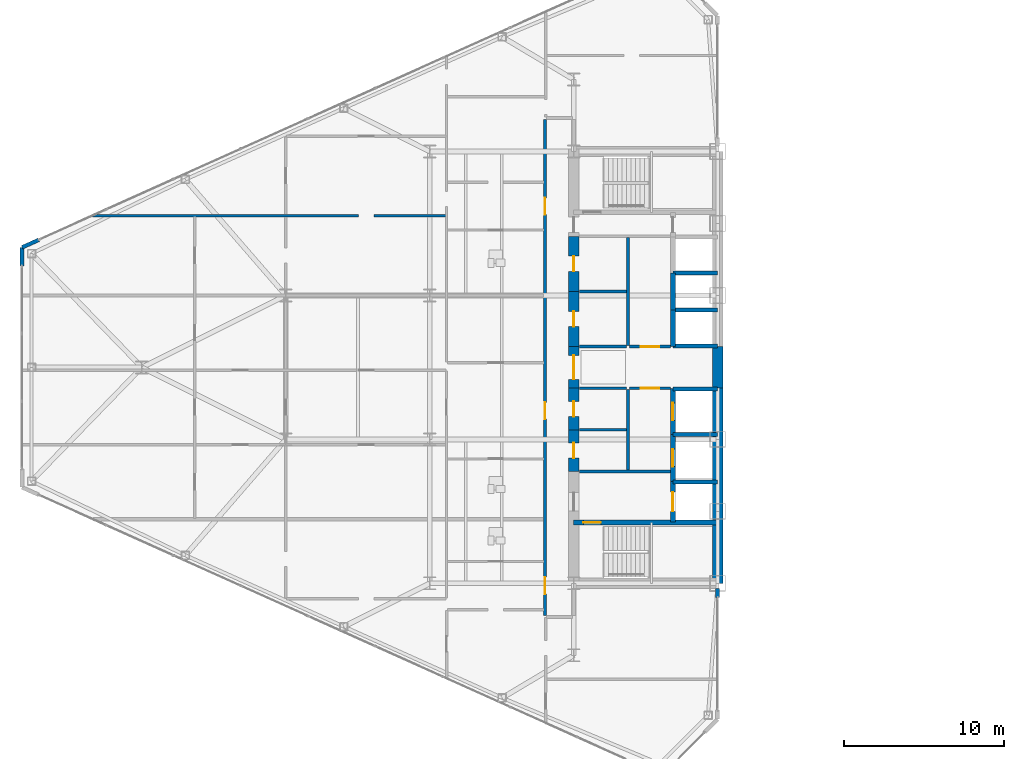
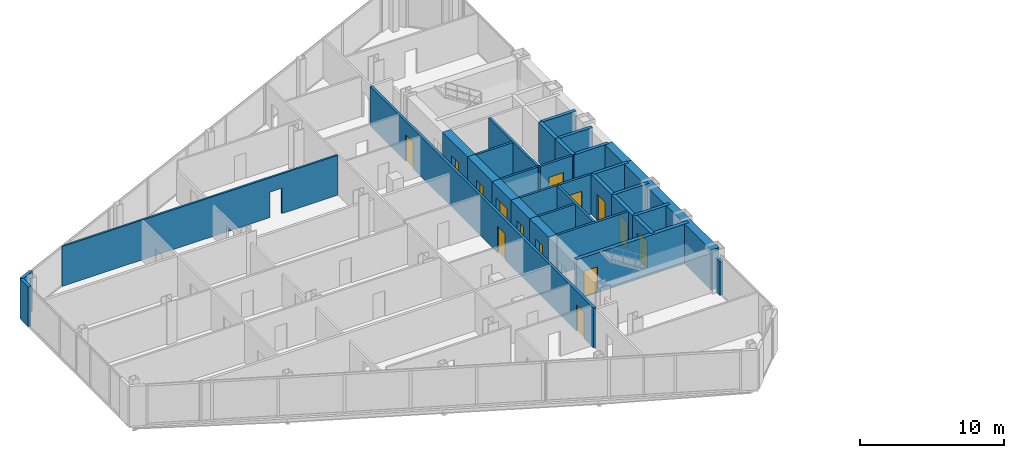
# One storey, part 20 of 27: 33 walls, 14 doors, 15 openings.
"""IFC4 building model written with IfcOpenShell, lengths in metres."""

from ifc_helpers import new_model, si_unit, direction, frame, frame_2d, origin, place, context, subcontext, project, spatial, rectangle, extrude, source, transform, mapped, material, layer, layer_set, type_object, type_shapes, element, fill, save


model = new_model("IFC4")

# Units and contexts
model_context = context("Model", 3, precision=1e-05, world=origin(), true_north=direction((0.0, 1.0)))
body_context = subcontext(model_context, "Body", "Model", "MODEL_VIEW")
ifc_project = project(units=[si_unit("LENGTHUNIT", "METRE"), si_unit("AREAUNIT", "SQUARE_METRE"), si_unit("VOLUMEUNIT", "CUBIC_METRE"), si_unit("PLANEANGLEUNIT", "RADIAN"), si_unit("MASSUNIT", "GRAM", prefix="KILO")], contexts=[model_context])

# Site, building, storey
site_placement = place(None, origin())
site = spatial("IfcSite", under=ifc_project, at=site_placement, CompositionType="ELEMENT")
building_placement = place(site_placement, origin())
building = spatial("IfcBuilding", under=site, at=building_placement, Name="Seokmaru Belvedere", CompositionType="ELEMENT")
storey_placement = place(building_placement, frame((0.0, 0.0, 72.89990234375)))
storey = spatial("IfcBuildingStorey", under=building, at=storey_placement, Name="L19", CompositionType="ELEMENT", Elevation=72.89990234375)

# Wall, opening
ifc_material_1 = material(Name="Fire-Rated Gypsum Shaftwall")
ifc_layer_1 = layer(ifc_material_1, 0.14990234375)
ifc_layer_set_1 = layer_set([ifc_layer_1], Name="Fire-Rated Gypsum Shaftwall")
wall_type_1 = type_object("IfcWallType", Name="Apartment Fire-Acoustic Room Partition 150", PredefinedType="PARTITIONING", material=ifc_layer_set_1)
wall_1_placement = place(storey_placement, frame((-66.62890625, 9.47998046875, 0.0), z_axis=(0.0, 0.0, 1.0), x_axis=(1.0, 0.0, 0.0)))
wall_1 = element("IfcWall", 1, at=wall_1_placement, inside=storey, type_object=wall_type_1, Name="L19 Interior Partition 021", PredefinedType="PARTITIONING", context=body_context, shape_type="SweptSolid", body=[
    extrude(rectangle(XDim=22.12890625, YDim=0.14990234375, at=frame_2d((11.064453125, 0.0))), origin(), (0.0, 0.0, 1.0), 3.380126953125),
])
opening_1_placement = place(wall_1_placement, frame((16.678955078125, 0.0, 0.0)))
element("IfcOpeningElement", 2, at=opening_1_placement, cuts=wall_1, Name="L19 Cased Opening 026", PredefinedType="OPENING", context=body_context, shape_type="SweptSolid", body=[
    extrude(rectangle(XDim=0.949951171875, YDim=2.14990234375, at=frame_2d((0.47509765625, 1.074951171875))), frame((0.0, 0.0849609375, 0.0), z_axis=(0.0, -1.0, 0.0), x_axis=(1.0, 0.0, 0.0)), (0.0, 0.0, 1.0), 0.169921875),
])

# Walls
ifc_layer_2 = layer(ifc_material_1, 0.179931640625)
ifc_layer_set_2 = layer_set([ifc_layer_2], Name="Fire-Rated Gypsum Shaftwall")
wall_type_2 = type_object("IfcWallType", Name="Core Service Fire Partition 180", PredefinedType="PARTITIONING", material=ifc_layer_set_2)
wall_2_placement = place(storey_placement, frame((-36.14990234375, -6.5, 0.0), z_axis=(0.0, 0.0, 1.0), x_axis=(1.0, 0.0, 0.0)))
element("IfcWall", 3, at=wall_2_placement, inside=storey, type_object=wall_type_2, Name="L19 West Firefighting Lobby Partition", PredefinedType="PARTITIONING", context=body_context, shape_type="SweptSolid", body=[
    extrude(rectangle(XDim=5.699951171875, YDim=0.179931640625, at=frame_2d((2.85009765625, 0.0))), origin(), (0.0, 0.0, 1.0), 3.380126953125),
])
wall_3_placement = place(storey_placement, frame((-33.10009765625, -6.419921875, 0.0), z_axis=(0.0, 0.0, 1.0), x_axis=(0.0, 1.0, 0.0)))
element("IfcWall", 4, at=wall_3_placement, inside=storey, type_object=wall_type_2, Name="L19 West South Core Service Back Wall", PredefinedType="PARTITIONING", context=body_context, shape_type="SweptSolid", body=[
    extrude(rectangle(XDim=5.0400390625, YDim=0.179931640625, at=frame_2d((2.52001953125, 0.0))), origin(), (0.0, 0.0, 1.0), 3.380126953125),
])
wall_4_placement = place(storey_placement, frame((-33.10009765625, 1.3798828125, 0.0), z_axis=(0.0, 0.0, 1.0), x_axis=(0.0, 1.0, 0.0)))
element("IfcWall", 5, at=wall_4_placement, inside=storey, type_object=wall_type_2, Name="L19 West North Core Service Back Wall", PredefinedType="PARTITIONING", context=body_context, shape_type="SweptSolid", body=[
    extrude(rectangle(XDim=6.740234375, YDim=0.179931640625, at=frame_2d((3.3701171875, 0.0))), origin(), (0.0, 0.0, 1.0), 3.380126953125),
])

# Wall, opening, door
wall_5_placement = place(storey_placement, frame((-33.02001953125, -1.300048828125, 0.0), z_axis=(0.0, 0.0, 1.0), x_axis=(1.0, 0.0, 0.0)))
wall_5 = element("IfcWall", 6, at=wall_5_placement, inside=storey, type_object=wall_type_2, Name="L19 West South Lift Lobby Foyer Wall", PredefinedType="PARTITIONING", context=body_context, shape_type="SweptSolid", body=[
    extrude(rectangle(XDim=2.570068359375, YDim=0.179931640625, at=frame_2d((1.28515625, 0.0))), origin(), (0.0, 0.0, 1.0), 3.380126953125),
])
opening_2_placement = place(wall_5_placement, frame((0.7099609375, 0.0, 0.0)))
opening_2 = element("IfcOpeningElement", 7, at=opening_2_placement, cuts=wall_5, Name="Opening D02", PredefinedType="OPENING", context=body_context, shape_type="SweptSolid", body=[
    extrude(rectangle(XDim=1.14990234375, YDim=2.199951171875, at=frame_2d((0.574951171875, 1.10009765625))), frame((0.0, 0.10009765625, 0.0), z_axis=(0.0, -1.0, 0.0), x_axis=(1.0, 0.0, 0.0)), (0.0, 0.0, 1.0), 0.199951171875),
])
ifc_material_2 = material(Name="Fire-Rated Steel Leaf", Category="steel")
door_type_1 = type_object("IfcDoorType", Name="Lobby and Vestibule Fire Door 1150x2200", OperationType="NOTDEFINED", PredefinedType="DOOR", material=ifc_material_2)
shared_shape_1 = source(origin(), body_context, "Body", "SweptSolid", [
    extrude(rectangle(XDim=1.14990234375, YDim=2.199951171875, at=frame_2d((0.574951171875, 1.10009765625))), frame((0.0, 0.02490234375, 0.0), z_axis=(0.0, -1.0, 0.0), x_axis=(1.0, 0.0, 0.0)), (0.0, 0.0, 1.0), 0.050048828125),
])
type_shapes(door_type_1, [shared_shape_1])
door_1_placement = place(opening_2_placement, origin())
door_1 = element("IfcDoor", 8, at=door_1_placement, inside=storey, type_object=door_type_1, Name="L19 West South Core Foyer Door", OperationType="SINGLE_SWING_LEFT", OverallHeight=2.199951171875, OverallWidth=1.14990234375, PredefinedType="DOOR", context=body_context, shape_type="MappedRepresentation", body=[
    mapped(shared_shape_1, transform((0.0, 0.0, 0.0), scale=1.0)),
])
fill(opening_2, door_1)

wall_6_placement = place(storey_placement, frame((-33.02001953125, 1.300048828125, 0.0), z_axis=(0.0, 0.0, 1.0), x_axis=(1.0, 0.0, 0.0)))
wall_6 = element("IfcWall", 9, at=wall_6_placement, inside=storey, type_object=wall_type_2, Name="L19 West North Lift Lobby Foyer Wall", PredefinedType="PARTITIONING", context=body_context, shape_type="SweptSolid", body=[
    extrude(rectangle(XDim=2.570068359375, YDim=0.179931640625, at=frame_2d((1.28515625, 0.0))), origin(), (0.0, 0.0, 1.0), 3.380126953125),
])
opening_3_placement = place(wall_6_placement, frame((0.7099609375, 0.0, 0.0)))
opening_3 = element("IfcOpeningElement", 10, at=opening_3_placement, cuts=wall_6, Name="Opening D02", PredefinedType="OPENING", context=body_context, shape_type="SweptSolid", body=[
    extrude(rectangle(XDim=1.14990234375, YDim=2.199951171875, at=frame_2d((0.574951171875, 1.10009765625))), frame((0.0, 0.10009765625, 0.0), z_axis=(0.0, -1.0, 0.0), x_axis=(1.0, 0.0, 0.0)), (0.0, 0.0, 1.0), 0.199951171875),
])
door_2_placement = place(opening_3_placement, origin())
door_2 = element("IfcDoor", 11, at=door_2_placement, inside=storey, type_object=door_type_1, Name="L19 West North Lift Lobby Door", OperationType="SINGLE_SWING_RIGHT", OverallHeight=2.199951171875, OverallWidth=1.14990234375, PredefinedType="DOOR", context=body_context, shape_type="MappedRepresentation", body=[
    mapped(shared_shape_1, transform((0.0, 0.0, 0.0), scale=1.0)),
])
fill(opening_3, door_2)

# Walls
for number, where, z_axis, x_axis, name in (
    (12, (-36.14990234375, -1.300048828125, 0.0), (0.0, 0.0, 1.0), (1.0, 0.0, 0.0), "L19 West Foyer Side Wall S"),
    (13, (-36.14990234375, 1.300048828125, 0.0), (0.0, 0.0, 1.0), (1.0, 0.0, 0.0), "L19 West Foyer Side Wall N"),
    (14, (-36.14990234375, -3.89990234375, 0.0), (0.0, 0.0, 1.0), (1.0, 0.0, 0.0), "L19 West Core Service Partition 1"),
    (15, (-36.14990234375, 4.75, 0.0), (0.0, 0.0, 1.0), (1.0, 0.0, 0.0), "L19 West Core Service Partition 2"),
):
    element("IfcWall", number, at=place(storey_placement, frame(where, z_axis=z_axis, x_axis=x_axis)), inside=storey, type_object=wall_type_2, Name=name, PredefinedType="PARTITIONING", context=body_context, shape_type="SweptSolid", body=[
        extrude(rectangle(XDim=2.949951171875, YDim=0.179931640625, at=frame_2d((1.47509765625, 0.0))), origin(), (0.0, 0.0, 1.0), 3.380126953125),
    ])
ifc_material_3 = material(Name="Concrete C50 (50 MPa)", Category="concrete")
ifc_layer_3 = layer(ifc_material_3, 0.25)
ifc_layer_set_3 = layer_set([ifc_layer_3], Name="Concrete C50 (50 MPa)")
wall_type_3 = type_object("IfcWallType", Name="Hoistway Transverse Concrete Divider Wall 250", PredefinedType="SHEAR", material=ifc_layer_set_3)
for number, where, z_axis, x_axis, name in (
    (16, (-30.300048828125, -7.14990234375, 0.0), (0.0, 0.0, 1.0), (1.0, 0.0, 0.0), "L19 West Hoistway Divider Core Wall 1"),
    (17, (-30.300048828125, -4.199951171875, 0.0), (0.0, 0.0, 1.0), (1.0, 0.0, 0.0), "L19 West Hoistway Divider Core Wall 2"),
    (18, (-30.300048828125, -1.35009765625, 0.0), (0.0, 0.0, 1.0), (1.0, 0.0, 0.0), "L19 West Hoistway Divider Core Wall 3"),
    (19, (-30.300048828125, 1.35009765625, 0.0), (0.0, 0.0, 1.0), (1.0, 0.0, 0.0), "L19 West Hoistway Divider Core Wall 4"),
    (20, (-30.300048828125, 3.60009765625, 0.0), (0.0, 0.0, 1.0), (1.0, 0.0, 0.0), "L19 West Hoistway Divider Core Wall 5"),
    (21, (-30.300048828125, 5.89990234375, 0.0), (0.0, 0.0, 1.0), (1.0, 0.0, 0.0), "L19 West Hoistway Divider Core Wall 6"),
):
    element("IfcWall", number, at=place(storey_placement, frame(where, z_axis=z_axis, x_axis=x_axis)), inside=storey, type_object=wall_type_3, Name=name, PredefinedType="SHEAR", context=body_context, shape_type="SweptSolid", body=[
        extrude(rectangle(XDim=2.800048828125, YDim=0.25, at=frame_2d((1.39990234375, 0.0))), origin(), (0.0, 0.0, 1.0), 3.380126953125),
    ])

# Wall, openings, doors
ifc_layer_4 = layer(ifc_material_1, 0.199951171875)
ifc_layer_set_4 = layer_set([ifc_layer_4], Name="Fire-Rated Gypsum Shaftwall")
wall_type_4 = type_object("IfcWallType", Name="Inter-Tenancy Fire Compartment Partition 200", PredefinedType="PARTITIONING", material=ifc_layer_set_4)
wall_7_placement = place(storey_placement, frame((-38.300048828125, -15.514892578125, 0.0), z_axis=(0.0, 0.0, 1.0), x_axis=(0.0, 1.0, 0.0)))
wall_7 = element("IfcWall", 22, at=wall_7_placement, inside=storey, type_object=wall_type_4, Name="L19 Interior Partition 038", PredefinedType="PARTITIONING", context=body_context, shape_type="SweptSolid", body=[
    extrude(rectangle(XDim=31.02978515625, YDim=0.199951171875, at=frame_2d((15.514892578125, 0.0))), origin(), (0.0, 0.0, 1.0), 3.380126953125),
])
opening_4_placement = place(wall_7_placement, frame((1.344970703125, 0.0, 0.0)))
opening_4 = element("IfcOpeningElement", 23, at=opening_4_placement, cuts=wall_7, Name="Opening D03", PredefinedType="OPENING", context=body_context, shape_type="SweptSolid", body=[
    extrude(rectangle(XDim=1.050048828125, YDim=2.25, at=frame_2d((0.52490234375, 1.125))), frame((0.0, 0.10986328125, 0.0), z_axis=(0.0, -1.0, 0.0), x_axis=(1.0, 0.0, 0.0)), (0.0, 0.0, 1.0), 0.219970703125),
])
opening_5_placement = place(wall_7_placement, frame((12.280029296875, 0.0, 0.0)))
opening_5 = element("IfcOpeningElement", 24, at=opening_5_placement, cuts=wall_7, Name="Opening D03", PredefinedType="OPENING", context=body_context, shape_type="SweptSolid", body=[
    extrude(rectangle(XDim=1.050048828125, YDim=2.25, at=frame_2d((0.52490234375, 1.125))), frame((0.0, 0.10986328125, 0.0), z_axis=(0.0, -1.0, 0.0), x_axis=(1.0, 0.0, 0.0)), (0.0, 0.0, 1.0), 0.219970703125),
])
opening_6_placement = place(wall_7_placement, frame((25.0673828125, 0.0, 0.0)))
opening_6 = element("IfcOpeningElement", 25, at=opening_6_placement, cuts=wall_7, Name="Opening D03", PredefinedType="OPENING", context=body_context, shape_type="SweptSolid", body=[
    extrude(rectangle(XDim=1.050048828125, YDim=2.25, at=frame_2d((0.52490234375, 1.125))), frame((0.0, 0.10986328125, 0.0), z_axis=(0.0, -1.0, 0.0), x_axis=(1.0, 0.0, 0.0)), (0.0, 0.0, 1.0), 0.219970703125),
])
door_type_2 = type_object("IfcDoorType", Name="Apartment Entrance Fire Door 1050x2250", OperationType="NOTDEFINED", PredefinedType="DOOR", material=ifc_material_2)
shared_shape_2 = source(origin(), body_context, "Body", "SweptSolid", [
    extrude(rectangle(XDim=1.050048828125, YDim=2.25, at=frame_2d((0.52490234375, 1.125))), frame((0.0, 0.02490234375, 0.0), z_axis=(0.0, -1.0, 0.0), x_axis=(1.0, 0.0, 0.0)), (0.0, 0.0, 1.0), 0.050048828125),
])
type_shapes(door_type_2, [shared_shape_2])
door_3_placement = place(opening_4_placement, origin())
door_3 = element("IfcDoor", 26, at=door_3_placement, inside=storey, type_object=door_type_2, Name="L19 Interior Door 001", OperationType="SINGLE_SWING_RIGHT", OverallHeight=2.25, OverallWidth=1.050048828125, PredefinedType="DOOR", context=body_context, shape_type="MappedRepresentation", body=[
    mapped(shared_shape_2, transform((0.0, 0.0, 0.0), scale=1.0)),
])
fill(opening_4, door_3)
door_4_placement = place(opening_5_placement, origin())
door_4 = element("IfcDoor", 27, at=door_4_placement, inside=storey, type_object=door_type_2, Name="L19 Interior Door 009", OperationType="SINGLE_SWING_LEFT", OverallHeight=2.25, OverallWidth=1.050048828125, PredefinedType="DOOR", context=body_context, shape_type="MappedRepresentation", body=[
    mapped(shared_shape_2, transform((0.0, 0.0, 0.0), scale=1.0)),
])
fill(opening_5, door_4)
door_5_placement = place(opening_6_placement, origin())
door_5 = element("IfcDoor", 28, at=door_5_placement, inside=storey, type_object=door_type_2, Name="L19 Interior Door 021", OperationType="SINGLE_SWING_RIGHT", OverallHeight=2.25, OverallWidth=1.050048828125, PredefinedType="DOOR", context=body_context, shape_type="MappedRepresentation", body=[
    mapped(shared_shape_2, transform((0.0, 0.0, 0.0), scale=1.0)),
])
fill(opening_6, door_5)

# Wall, opening, door
ifc_layer_5 = layer(ifc_material_3, 0.300048828125)
ifc_layer_set_5 = layer_set([ifc_layer_5], Name="Concrete C50 (50 MPa)")
wall_type_5 = type_object("IfcWallType", Name="Internal Core Stair and Hoistway Wall 300", PredefinedType="SHEAR", material=ifc_layer_set_5)
wall_8_placement = place(storey_placement, frame((-36.5, -9.699951171875, 0.0), z_axis=(0.0, 0.0, 1.0), x_axis=(1.0, 0.0, 0.0)))
wall_8 = element("IfcWall", 29, at=wall_8_placement, inside=storey, type_object=wall_type_5, Name="L19 West Stair ST-1 Enclosure Wall", PredefinedType="SHEAR", context=body_context, shape_type="SweptSolid", body=[
    extrude(rectangle(XDim=9.0, YDim=0.300048828125, at=frame_2d((4.5, 0.0))), origin(), (0.0, 0.0, 1.0), 3.380126953125),
])
opening_7_placement = place(wall_8_placement, frame((0.60009765625, 0.0, 0.0)))
opening_7 = element("IfcOpeningElement", 30, at=opening_7_placement, cuts=wall_8, Name="Opening D01", PredefinedType="OPENING", context=body_context, shape_type="SweptSolid", body=[
    extrude(rectangle(XDim=1.10009765625, YDim=2.199951171875, at=frame_2d((0.550048828125, 1.10009765625))), frame((0.0, 0.16015625, 0.0), z_axis=(0.0, -1.0, 0.0), x_axis=(1.0, 0.0, 0.0)), (0.0, 0.0, 1.0), 0.320068359375),
])
door_type_3 = type_object("IfcDoorType", Name="Special Escape Stair Smokeproof Fire Door 1100x2200", OperationType="NOTDEFINED", PredefinedType="DOOR", material=ifc_material_2)
shared_shape_3 = source(origin(), body_context, "Body", "SweptSolid", [
    extrude(rectangle(XDim=1.10009765625, YDim=2.199951171875, at=frame_2d((0.550048828125, 1.10009765625))), frame((0.0, 0.02490234375, 0.0), z_axis=(0.0, -1.0, 0.0), x_axis=(1.0, 0.0, 0.0)), (0.0, 0.0, 1.0), 0.050048828125),
])
type_shapes(door_type_3, [shared_shape_3])
door_6_placement = place(opening_7_placement, frame((1.10009765625, 0.0, 0.0), z_axis=(0.0, 0.0, 1.0), x_axis=(-1.0, 0.0, 0.0)))
door_6 = element("IfcDoor", 31, at=door_6_placement, inside=storey, type_object=door_type_3, Name="L19 West Special Escape Stair ST-1 Door", OperationType="SINGLE_SWING_LEFT", OverallHeight=2.199951171875, OverallWidth=1.10009765625, PredefinedType="DOOR", context=body_context, shape_type="MappedRepresentation", body=[
    mapped(shared_shape_3, transform((0.0, 0.0, 0.0), scale=1.0)),
])
fill(opening_7, door_6)

wall_9_placement = place(storey_placement, frame((-30.300048828125, -9.679931640625, 0.0), z_axis=(0.0, 0.0, 1.0), x_axis=(0.0, 1.0, 0.0)))
wall_9 = element("IfcWall", 32, at=wall_9_placement, inside=storey, type_object=wall_type_5, Name="L19 West Firefighting Lift Shaft Front Wall", PredefinedType="SHEAR", context=body_context, shape_type="SweptSolid", body=[
    extrude(rectangle(XDim=2.559814453125, YDim=0.300048828125, at=frame_2d((1.27978515625, 0.0))), origin(), (0.0, 0.0, 1.0), 3.380126953125),
])
opening_8_placement = place(wall_9_placement, frame((0.679931640625, 0.0, 0.0)))
opening_8 = element("IfcOpeningElement", 33, at=opening_8_placement, cuts=wall_9, Name="Opening LD2", PredefinedType="OPENING", context=body_context, shape_type="SweptSolid", body=[
    extrude(rectangle(XDim=1.199951171875, YDim=2.25, at=frame_2d((0.60009765625, 1.125))), frame((0.0, 0.16015625, 0.0), z_axis=(0.0, -1.0, 0.0), x_axis=(1.0, 0.0, 0.0)), (0.0, 0.0, 1.0), 0.320068359375),
])
ifc_material_4 = material(Name="Stainless Steel 316", Category="steel")
door_type_4 = type_object("IfcDoorType", Name="Firefighting Lift Sliding Landing Door 1200x2250", OperationType="DOUBLE_DOOR_SLIDING", PredefinedType="DOOR", material=ifc_material_4)
shared_shape_4 = source(origin(), body_context, "Body", "SweptSolid", [
    extrude(rectangle(XDim=1.199951171875, YDim=2.25, at=frame_2d((0.60009765625, 1.125))), frame((0.0, 0.02490234375, 0.0), z_axis=(0.0, -1.0, 0.0), x_axis=(1.0, 0.0, 0.0)), (0.0, 0.0, 1.0), 0.050048828125),
])
type_shapes(door_type_4, [shared_shape_4])
door_7_placement = place(opening_8_placement, origin())
door_7 = element("IfcDoor", 34, at=door_7_placement, inside=storey, type_object=door_type_4, Name="L19 West Firefighting Lift Landing Door", OperationType="DOUBLE_DOOR_SLIDING", OverallHeight=2.25, OverallWidth=1.199951171875, PredefinedType="DOOR", context=body_context, shape_type="MappedRepresentation", body=[
    mapped(shared_shape_4, transform((0.0, 0.0, 0.0), scale=1.0)),
])
fill(opening_8, door_7)

wall_10_placement = place(storey_placement, frame((-30.300048828125, -7.1201171875, 0.0), z_axis=(0.0, 0.0, 1.0), x_axis=(0.0, 1.0, 0.0)))
wall_10 = element("IfcWall", 35, at=wall_10_placement, inside=storey, type_object=wall_type_5, Name="L19 West Low-Rise Lift PL-1 Front Wall", PredefinedType="SHEAR", context=body_context, shape_type="SweptSolid", body=[
    extrude(rectangle(XDim=2.920166015625, YDim=0.300048828125, at=frame_2d((1.4599609375, 0.0))), origin(), (0.0, 0.0, 1.0), 3.380126953125),
])
opening_9_placement = place(wall_10_placement, frame((0.909912109375, 0.0, 0.0)))
opening_9 = element("IfcOpeningElement", 36, at=opening_9_placement, cuts=wall_10, Name="Opening LD1", PredefinedType="OPENING", context=body_context, shape_type="SweptSolid", body=[
    extrude(rectangle(XDim=1.10009765625, YDim=2.199951171875, at=frame_2d((0.550048828125, 1.10009765625))), frame((0.0, 0.16015625, 0.0), z_axis=(0.0, -1.0, 0.0), x_axis=(1.0, 0.0, 0.0)), (0.0, 0.0, 1.0), 0.320068359375),
])
door_type_5 = type_object("IfcDoorType", Name="Passenger Lift Sliding Landing Door 1100x2200", OperationType="DOUBLE_DOOR_SLIDING", PredefinedType="DOOR", material=ifc_material_4)
shared_shape_5 = source(origin(), body_context, "Body", "SweptSolid", [
    extrude(rectangle(XDim=1.10009765625, YDim=2.199951171875, at=frame_2d((0.550048828125, 1.10009765625))), frame((0.0, 0.02490234375, 0.0), z_axis=(0.0, -1.0, 0.0), x_axis=(1.0, 0.0, 0.0)), (0.0, 0.0, 1.0), 0.050048828125),
])
type_shapes(door_type_5, [shared_shape_5])
door_8_placement = place(opening_9_placement, origin())
door_8 = element("IfcDoor", 37, at=door_8_placement, inside=storey, type_object=door_type_5, Name="L19 West Low-Rise Lift PL-1 Landing Door", OperationType="DOUBLE_DOOR_SLIDING", OverallHeight=2.199951171875, OverallWidth=1.10009765625, PredefinedType="DOOR", context=body_context, shape_type="MappedRepresentation", body=[
    mapped(shared_shape_5, transform((0.0, 0.0, 0.0), scale=1.0)),
])
fill(opening_9, door_8)

wall_11_placement = place(storey_placement, frame((-30.300048828125, -4.199951171875, 0.0), z_axis=(0.0, 0.0, 1.0), x_axis=(0.0, 1.0, 0.0)))
wall_11 = element("IfcWall", 38, at=wall_11_placement, inside=storey, type_object=wall_type_5, Name="L19 West Low-Rise Lift PL-2 Front Wall", PredefinedType="SHEAR", context=body_context, shape_type="SweptSolid", body=[
    extrude(rectangle(XDim=2.8798828125, YDim=0.300048828125, at=frame_2d((1.43994140625, 0.0))), origin(), (0.0, 0.0, 1.0), 3.380126953125),
])
opening_10_placement = place(wall_11_placement, frame((0.889892578125, 0.0, 0.0)))
opening_10 = element("IfcOpeningElement", 39, at=opening_10_placement, cuts=wall_11, Name="Opening LD1", PredefinedType="OPENING", context=body_context, shape_type="SweptSolid", body=[
    extrude(rectangle(XDim=1.10009765625, YDim=2.199951171875, at=frame_2d((0.550048828125, 1.10009765625))), frame((0.0, 0.16015625, 0.0), z_axis=(0.0, -1.0, 0.0), x_axis=(1.0, 0.0, 0.0)), (0.0, 0.0, 1.0), 0.320068359375),
])
door_9_placement = place(opening_10_placement, origin())
door_9 = element("IfcDoor", 40, at=door_9_placement, inside=storey, type_object=door_type_5, Name="L19 West Low-Rise Lift PL-2 Landing Door", OperationType="DOUBLE_DOOR_SLIDING", OverallHeight=2.199951171875, OverallWidth=1.10009765625, PredefinedType="DOOR", context=body_context, shape_type="MappedRepresentation", body=[
    mapped(shared_shape_5, transform((0.0, 0.0, 0.0), scale=1.0)),
])
fill(opening_10, door_9)

# Walls
wall_12_placement = place(storey_placement, frame((-30.300048828125, 1.320068359375, 0.0), z_axis=(0.0, 0.0, 1.0), x_axis=(0.0, 1.0, 0.0)))
element("IfcWall", 41, at=wall_12_placement, inside=storey, type_object=wall_type_5, Name="L19 West North Hoistway Wall PH1", PredefinedType="SHEAR", context=body_context, shape_type="SweptSolid", body=[
    extrude(rectangle(XDim=2.280029296875, YDim=0.300048828125, at=frame_2d((1.14013671875, 0.0))), origin(), (0.0, 0.0, 1.0), 3.380126953125),
])
wall_13_placement = place(storey_placement, frame((-30.300048828125, 3.60009765625, 0.0), z_axis=(0.0, 0.0, 1.0), x_axis=(0.0, 1.0, 0.0)))
element("IfcWall", 42, at=wall_13_placement, inside=storey, type_object=wall_type_5, Name="L19 West North Hoistway Wall PH2", PredefinedType="SHEAR", context=body_context, shape_type="SweptSolid", body=[
    extrude(rectangle(XDim=2.2998046875, YDim=0.300048828125, at=frame_2d((1.14990234375, 0.0))), origin(), (0.0, 0.0, 1.0), 3.380126953125),
])
ifc_material_5 = material(Name="Concrete C60 (60 MPa)", Category="concrete")
ifc_layer_6 = layer(ifc_material_5, 0.64990234375)
ifc_layer_set_6 = layer_set([ifc_layer_6], Name="Concrete C60 (60 MPa)")
wall_type_6 = type_object("IfcWallType", Name="Mid-Low Reinforced Concrete Core Wall 650", PredefinedType="SHEAR", material=ifc_layer_set_6)
wall_14_placement = place(storey_placement, frame((-27.5, -13.5, 0.0), z_axis=(0.0, 0.0, 1.0), x_axis=(0.0, 1.0, 0.0)))
element("IfcWall", 43, at=wall_14_placement, inside=storey, type_object=wall_type_6, Name="L19 West Portal Spine Core Wall South", PredefinedType="SHEAR", context=body_context, shape_type="SweptSolid", body=[
    extrude(rectangle(XDim=12.199951171875, YDim=0.64990234375, at=frame_2d((6.10009765625, 0.0))), origin(), (0.0, 0.0, 1.0), 3.380126953125),
])
wall_15_placement = place(storey_placement, frame((-27.5, -1.300048828125, 0.0), z_axis=(0.0, 0.0, 1.0), x_axis=(0.0, 1.0, 0.0)))
element("IfcWall", 44, at=wall_15_placement, inside=storey, type_object=wall_type_6, Name="L19 West Portal Spine Core Wall Center", PredefinedType="SHEAR", context=body_context, shape_type="SweptSolid", body=[
    extrude(rectangle(XDim=2.60009765625, YDim=0.64990234375, at=frame_2d((1.300048828125, 0.0))), origin(), (0.0, 0.0, 1.0), 3.380126953125),
])

# Wall, opening, door
wall_16_placement = place(storey_placement, frame((-36.5, -1.300048828125, 0.0), z_axis=(0.0, 0.0, 1.0), x_axis=(0.0, 1.0, 0.0)))
wall_16 = element("IfcWall", 45, at=wall_16_placement, inside=storey, type_object=wall_type_6, Name="L19 West West Core Wall FOY", PredefinedType="SHEAR", context=body_context, shape_type="SweptSolid", body=[
    extrude(rectangle(XDim=2.60009765625, YDim=0.64990234375, at=frame_2d((1.300048828125, 0.0))), origin(), (0.0, 0.0, 1.0), 3.380126953125),
])
opening_11_placement = place(wall_16_placement, frame((0.550048828125, 0.0, 0.0)))
opening_11 = element("IfcOpeningElement", 46, at=opening_11_placement, cuts=wall_16, Name="Opening D08", PredefinedType="OPENING", context=body_context, shape_type="SweptSolid", body=[
    extrude(rectangle(XDim=1.5, YDim=2.300048828125, at=frame_2d((0.75, 1.14990234375))), frame((0.0, 0.3349609375, 0.0), z_axis=(0.0, -1.0, 0.0), x_axis=(1.0, 0.0, 0.0)), (0.0, 0.0, 1.0), 0.669921875),
])
door_type_6 = type_object("IfcDoorType", Name="Cross-Corridor Compartment Double Fire Door 1500x2300", OperationType="DOUBLE_SWING_LEFT", PredefinedType="DOOR", material=ifc_material_2)
shared_shape_6 = source(origin(), body_context, "Body", "SweptSolid", [
    extrude(rectangle(XDim=1.5, YDim=2.300048828125, at=frame_2d((0.75, 1.14990234375))), frame((0.0, 0.02490234375, 0.0), z_axis=(0.0, -1.0, 0.0), x_axis=(1.0, 0.0, 0.0)), (0.0, 0.0, 1.0), 0.050048828125),
])
type_shapes(door_type_6, [shared_shape_6])
door_10_placement = place(opening_11_placement, origin())
door_10 = element("IfcDoor", 47, at=door_10_placement, inside=storey, type_object=door_type_6, Name="L19 West Core Foyer Compartment Door", OperationType="DOUBLE_SWING_LEFT", OverallHeight=2.300048828125, OverallWidth=1.5, PredefinedType="DOOR", context=body_context, shape_type="MappedRepresentation", body=[
    mapped(shared_shape_6, transform((0.0, 0.0, 0.0), scale=1.0)),
])
fill(opening_11, door_10)

wall_17_placement = place(storey_placement, frame((-36.5, -6.5, 0.0), z_axis=(0.0, 0.0, 1.0), x_axis=(0.0, 1.0, 0.0)))
wall_17 = element("IfcWall", 48, at=wall_17_placement, inside=storey, type_object=wall_type_6, Name="L19 West West Core Wall CS1", PredefinedType="SHEAR", context=body_context, shape_type="SweptSolid", body=[
    extrude(rectangle(XDim=2.60009765625, YDim=0.64990234375, at=frame_2d((1.300048828125, 0.0))), origin(), (0.0, 0.0, 1.0), 3.380126953125),
])
opening_12_placement = place(wall_17_placement, frame((0.824951171875, 0.0, 0.0)))
opening_12 = element("IfcOpeningElement", 49, at=opening_12_placement, cuts=wall_17, Name="Opening D04", PredefinedType="OPENING", context=body_context, shape_type="SweptSolid", body=[
    extrude(rectangle(XDim=0.949951171875, YDim=2.14990234375, at=frame_2d((0.47509765625, 1.074951171875))), frame((0.0, 0.3349609375, 0.0), z_axis=(0.0, -1.0, 0.0), x_axis=(1.0, 0.0, 0.0)), (0.0, 0.0, 1.0), 0.669921875),
])
door_type_7 = type_object("IfcDoorType", Name="Core Service Room Fire Door 950x2150", OperationType="NOTDEFINED", PredefinedType="DOOR", material=ifc_material_2)
shared_shape_7 = source(origin(), body_context, "Body", "SweptSolid", [
    extrude(rectangle(XDim=0.949951171875, YDim=2.14990234375, at=frame_2d((0.47509765625, 1.074951171875))), frame((0.0, 0.02490234375, 0.0), z_axis=(0.0, -1.0, 0.0), x_axis=(1.0, 0.0, 0.0)), (0.0, 0.0, 1.0), 0.050048828125),
])
type_shapes(door_type_7, [shared_shape_7])
door_11_placement = place(opening_12_placement, origin())
door_11 = element("IfcDoor", 50, at=door_11_placement, inside=storey, type_object=door_type_7, Name="L19 West Core Service Room Door 1", OperationType="SINGLE_SWING_LEFT", OverallHeight=2.14990234375, OverallWidth=0.949951171875, PredefinedType="DOOR", context=body_context, shape_type="MappedRepresentation", body=[
    mapped(shared_shape_7, transform((0.0, 0.0, 0.0), scale=1.0)),
])
fill(opening_12, door_11)

wall_18_placement = place(storey_placement, frame((-36.5, -3.89990234375, 0.0), z_axis=(0.0, 0.0, 1.0), x_axis=(0.0, 1.0, 0.0)))
wall_18 = element("IfcWall", 51, at=wall_18_placement, inside=storey, type_object=wall_type_6, Name="L19 West West Core Wall CS2", PredefinedType="SHEAR", context=body_context, shape_type="SweptSolid", body=[
    extrude(rectangle(XDim=2.599853515625, YDim=0.64990234375, at=frame_2d((1.2998046875, 0.0))), origin(), (0.0, 0.0, 1.0), 3.380126953125),
])
opening_13_placement = place(wall_18_placement, frame((0.824951171875, 0.0, 0.0)))
opening_13 = element("IfcOpeningElement", 52, at=opening_13_placement, cuts=wall_18, Name="Opening D04", PredefinedType="OPENING", context=body_context, shape_type="SweptSolid", body=[
    extrude(rectangle(XDim=0.949951171875, YDim=2.14990234375, at=frame_2d((0.47509765625, 1.074951171875))), frame((0.0, 0.3349609375, 0.0), z_axis=(0.0, -1.0, 0.0), x_axis=(1.0, 0.0, 0.0)), (0.0, 0.0, 1.0), 0.669921875),
])
door_12_placement = place(opening_13_placement, origin())
door_12 = element("IfcDoor", 53, at=door_12_placement, inside=storey, type_object=door_type_7, Name="L19 West Core Service Room Door 2", OperationType="SINGLE_SWING_RIGHT", OverallHeight=2.14990234375, OverallWidth=0.949951171875, PredefinedType="DOOR", context=body_context, shape_type="MappedRepresentation", body=[
    mapped(shared_shape_7, transform((0.0, 0.0, 0.0), scale=1.0)),
])
fill(opening_13, door_12)

wall_19_placement = place(storey_placement, frame((-36.5, 1.300048828125, 0.0), z_axis=(0.0, 0.0, 1.0), x_axis=(0.0, 1.0, 0.0)))
wall_19 = element("IfcWall", 54, at=wall_19_placement, inside=storey, type_object=wall_type_6, Name="L19 West West Core Wall CS3", PredefinedType="SHEAR", context=body_context, shape_type="SweptSolid", body=[
    extrude(rectangle(XDim=3.449951171875, YDim=0.64990234375, at=frame_2d((1.72509765625, 0.0))), origin(), (0.0, 0.0, 1.0), 3.380126953125),
])
opening_14_placement = place(wall_19_placement, frame((1.25, 0.0, 0.0)))
opening_14 = element("IfcOpeningElement", 55, at=opening_14_placement, cuts=wall_19, Name="Opening D04", PredefinedType="OPENING", context=body_context, shape_type="SweptSolid", body=[
    extrude(rectangle(XDim=0.949951171875, YDim=2.14990234375, at=frame_2d((0.47509765625, 1.074951171875))), frame((0.0, 0.3349609375, 0.0), z_axis=(0.0, -1.0, 0.0), x_axis=(1.0, 0.0, 0.0)), (0.0, 0.0, 1.0), 0.669921875),
])
door_13_placement = place(opening_14_placement, origin())
door_13 = element("IfcDoor", 56, at=door_13_placement, inside=storey, type_object=door_type_7, Name="L19 West Core Service Room Door 3", OperationType="SINGLE_SWING_LEFT", OverallHeight=2.14990234375, OverallWidth=0.949951171875, PredefinedType="DOOR", context=body_context, shape_type="MappedRepresentation", body=[
    mapped(shared_shape_7, transform((0.0, 0.0, 0.0), scale=1.0)),
])
fill(opening_14, door_13)

wall_20_placement = place(storey_placement, frame((-36.5, 4.75, 0.0), z_axis=(0.0, 0.0, 1.0), x_axis=(0.0, 1.0, 0.0)))
wall_20 = element("IfcWall", 57, at=wall_20_placement, inside=storey, type_object=wall_type_6, Name="L19 West West Core Wall CS4", PredefinedType="SHEAR", context=body_context, shape_type="SweptSolid", body=[
    extrude(rectangle(XDim=3.449951171875, YDim=0.64990234375, at=frame_2d((1.72509765625, 0.0))), origin(), (0.0, 0.0, 1.0), 3.380126953125),
])
opening_15_placement = place(wall_20_placement, frame((1.25, 0.0, 0.0)))
opening_15 = element("IfcOpeningElement", 58, at=opening_15_placement, cuts=wall_20, Name="Opening D04", PredefinedType="OPENING", context=body_context, shape_type="SweptSolid", body=[
    extrude(rectangle(XDim=0.949951171875, YDim=2.14990234375, at=frame_2d((0.47509765625, 1.074951171875))), frame((0.0, 0.3349609375, 0.0), z_axis=(0.0, -1.0, 0.0), x_axis=(1.0, 0.0, 0.0)), (0.0, 0.0, 1.0), 0.669921875),
])
door_14_placement = place(opening_15_placement, origin())
door_14 = element("IfcDoor", 59, at=door_14_placement, inside=storey, type_object=door_type_7, Name="L19 West Core Service Room Door 4", OperationType="SINGLE_SWING_RIGHT", OverallHeight=2.14990234375, OverallWidth=0.949951171875, PredefinedType="DOOR", context=body_context, shape_type="MappedRepresentation", body=[
    mapped(shared_shape_7, transform((0.0, 0.0, 0.0), scale=1.0)),
])
fill(opening_15, door_14)

# Walls
ifc_material_6 = material(Name="Anodised Bronze Aluminium", Category="aluminium")
ifc_layer_7 = layer(ifc_material_6, 0.239990234375)
ifc_layer_set_7 = layer_set([ifc_layer_7], Name="Anodised Bronze Aluminium")
wall_type_7 = type_object("IfcWallType", Name="Tower Corner Spandrel Closure Wall 240", PredefinedType="SOLIDWALL", material=ifc_layer_set_7)
wall_21_placement = place(storey_placement, frame((-27.5, -14.3798828125, 0.0), z_axis=(0.0, 0.0, 1.0), x_axis=(0.0, 1.0, 0.0)))
element("IfcWall", 60, at=wall_21_placement, inside=storey, type_object=wall_type_7, Name="L19 W Spine Closure Pier 1B", PredefinedType="SOLIDWALL", context=body_context, shape_type="SweptSolid", body=[
    extrude(rectangle(XDim=0.5498046875, YDim=0.239990234375, at=frame_2d((0.27490234375, 0.0))), origin(), (0.0, 0.0, 1.0), 2.880126953125),
])
for number, where, z_axis, x_axis, name in (
    (61, (-69.951416015625, 7.971923828125, 0.0), (0.0, 0.0, 1.0), (-0.911929519623, -0.410346866979, 0.0), "L19 W Corner Closure Pier 3B"),
    (62, (-71.0, 7.489990234375, 0.0), (0.0, 0.0, 1.0), (0.0, -1.0, 0.0), "L19 W Corner Closure Pier 4A"),
):
    element("IfcWall", number, at=place(storey_placement, frame(where, z_axis=z_axis, x_axis=x_axis)), inside=storey, type_object=wall_type_7, Name=name, PredefinedType="SOLIDWALL", context=body_context, shape_type="SweptSolid", body=[
        extrude(rectangle(XDim=1.139892578125, YDim=0.239990234375, at=frame_2d((0.56982421875, 0.0))), origin(), (0.0, 0.0, 1.0), 3.380126953125),
    ])

save(model, "model.ifc")
